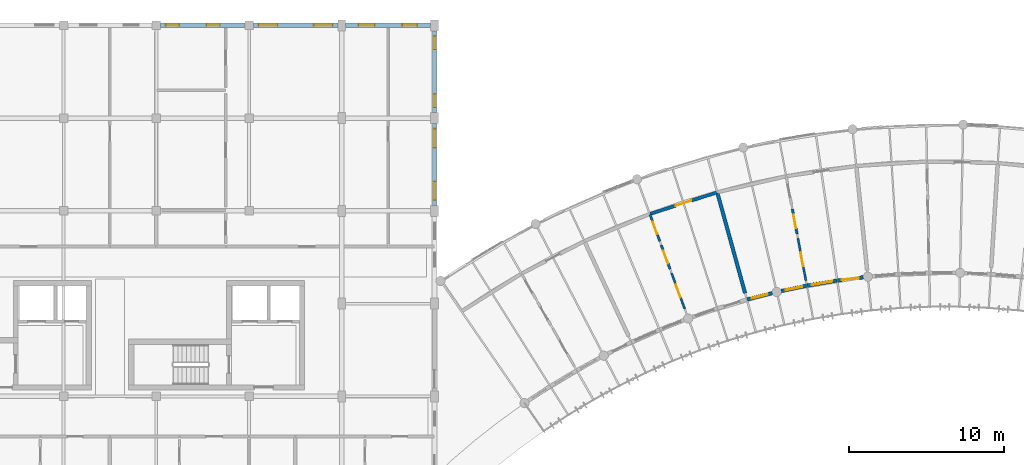
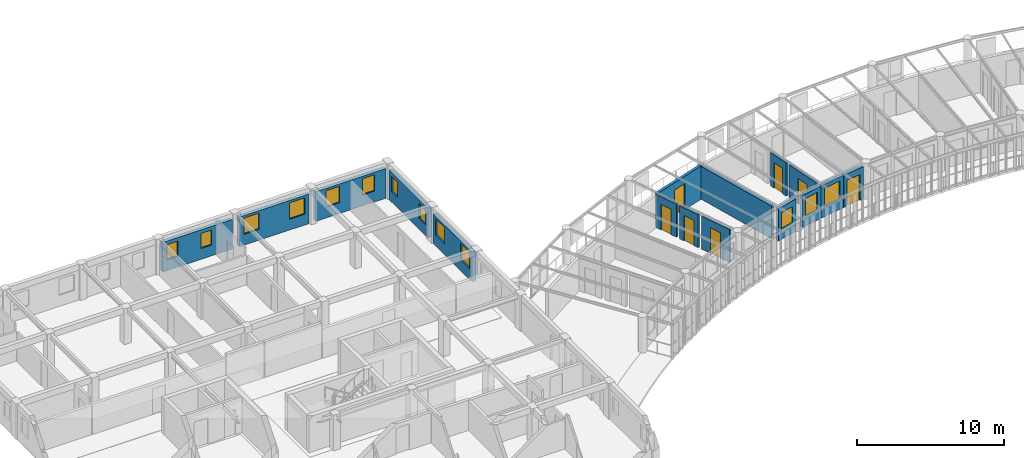
# One storey, part 73 of 101: 16 walls, 13 windows, 7 doors, 20 openings.
"""IFC4 building model written with IfcOpenShell, lengths in metres."""

from ifc_helpers import new_model, si_unit, direction, frame, frame_2d, origin, place, context, subcontext, project, spatial, rectangle, extrude, material, layer, layer_set, type_object, element, fill, save


model = new_model("IFC4")

# Units and contexts
model_context = context("Model", 3, precision=1e-05, world=origin(), true_north=direction((0.0, 1.0)))
body_context = subcontext(model_context, "Body", "Model", "MODEL_VIEW")
ifc_project = project(units=[si_unit("LENGTHUNIT", "METRE"), si_unit("AREAUNIT", "SQUARE_METRE"), si_unit("VOLUMEUNIT", "CUBIC_METRE"), si_unit("PLANEANGLEUNIT", "RADIAN"), si_unit("MASSUNIT", "GRAM", prefix="KILO"), si_unit("POWERUNIT", "WATT"), si_unit("THERMODYNAMICTEMPERATUREUNIT", "KELVIN")], contexts=[model_context])

# Site, building, storey
site_placement = place(None, origin())
site = spatial("IfcSite", under=ifc_project, at=site_placement, CompositionType="ELEMENT")
building_placement = place(site_placement, origin())
building = spatial("IfcBuilding", under=site, at=building_placement, Name="Ruvembo Vaulted Housing Court", CompositionType="ELEMENT")
storey_placement = place(building_placement, frame((0.0, 0.0, 17.300048828125)))
storey = spatial("IfcBuildingStorey", under=building, at=storey_placement, Name="L05", CompositionType="ELEMENT", Elevation=17.300048828125)

# Wall, opening, door
ifc_material_1 = material(Name="Concrete Blockwork 210", Category="masonry")
ifc_layer_1 = layer(ifc_material_1, 0.2099609375, Name="Concrete Blockwork 210")
ifc_layer_set_1 = layer_set([ifc_layer_1], Name="Concrete Blockwork 210")
wall_type_1 = type_object("IfcWallType", Name="WL-CORR-210", PredefinedType="SOLIDWALL", material=ifc_layer_set_1)
wall_1_placement = place(storey_placement, frame((97.962890625, 101.811767578125, 0.0), z_axis=(0.0, 0.0, 1.0), x_axis=(0.95193992138, 0.306284812035, 0.0)))
wall_1 = element("IfcWall", 1, at=wall_1_placement, inside=storey, type_object=wall_type_1, Name="L05 Suite SC3-L05-U2 Entrance WL-INT-L05-01655", PredefinedType="SOLIDWALL", context=body_context, shape_type="SweptSolid", body=[
    extrude(rectangle(XDim=4.501220703125, YDim=0.2099609375, at=frame_2d((2.25048828125, 0.0))), origin(), (0.0, 0.0, 1.0), 2.75390625),
])
opening_1_placement = place(wall_1_placement, frame((1.7255859375, 0.0, 0.0)))
opening_1 = element("IfcOpeningElement", 2, at=opening_1_placement, cuts=wall_1, Name="Opening FD3", PredefinedType="OPENING", context=body_context, shape_type="SweptSolid", body=[
    extrude(rectangle(XDim=1.050048828125, YDim=2.14990234375, at=frame_2d((0.52490234375, 1.074951171875))), frame((0.0, 0.114990234375, 0.0), z_axis=(0.0, -1.0, 0.0), x_axis=(1.0, 0.0, 0.0)), (0.0, 0.0, 1.0), 0.22998046875),
])
ifc_material_2 = material(Name="FSC Hardwood and Engineered Timber", Category="wood")
door_type_1 = type_object("IfcDoorType", Name="DR-FLAT-1050x2150", OperationType="NOTDEFINED", PredefinedType="DOOR", material=ifc_material_2)
door_1_placement = place(opening_1_placement, origin())
door_1 = element("IfcDoor", 3, at=door_1_placement, inside=storey, type_object=door_type_1, Name="L05 Suite SC3-L05-U2 Entrance Door DR-INT-L05-00935", OperationType="SINGLE_SWING_LEFT", OverallHeight=2.14990234375, OverallWidth=1.050048828125, PredefinedType="DOOR", context=body_context, shape_type="SweptSolid", body=[
    extrude(rectangle(XDim=1.050048828125, YDim=2.14990234375, at=frame_2d((0.52490234375, 1.074951171875))), frame((0.0, 0.02490234375, 0.0), z_axis=(0.0, -1.0, 0.0), x_axis=(1.0, 0.0, 0.0)), (0.0, 0.0, 1.0), 0.050048828125),
])
fill(opening_1, door_1)

# Wall
ifc_material_3 = material(Name="Acoustic Masonry Demising 230", Category="masonry")
ifc_layer_2 = layer(ifc_material_3, 0.22998046875, Name="Acoustic Masonry Demising 230")
ifc_layer_set_2 = layer_set([ifc_layer_2], Name="Acoustic Masonry Demising 230")
wall_type_2 = type_object("IfcWallType", Name="WL-DEM-230", PredefinedType="SOLIDWALL", material=ifc_layer_set_2)
wall_2_placement = place(storey_placement, frame((104.09228515625, 96.672119140625, 0.0), z_axis=(0.0, 0.0, 1.0), x_axis=(-0.266578174631, 0.963813299768, 0.0)))
element("IfcWall", 4, at=wall_2_placement, inside=storey, type_object=wall_type_2, Name="L05 Suite SC3-L05-U2 Demising WL-INT-L05-01659", PredefinedType="SOLIDWALL", context=body_context, shape_type="SweptSolid", body=[
    extrude(rectangle(XDim=6.73583984375, YDim=0.22998046875, at=frame_2d((3.367919921875, 0.0))), origin(), (0.0, 0.0, 1.0), 2.7138671875),
])

# Wall, opening, window
ifc_material_4 = material(Name="Rendered Masonry 235", Category="masonry")
ifc_layer_3 = layer(ifc_material_4, 0.235107421875, Name="Rendered Masonry 235")
ifc_layer_set_3 = layer_set([ifc_layer_3], Name="Rendered Masonry 235")
wall_type_3 = type_object("IfcWallType", Name="WL-EXT-235", PredefinedType="STANDARD", material=ifc_layer_set_3)
wall_3_placement = place(storey_placement, frame((104.224609375, 96.268310546875, 0.0), z_axis=(0.0, 0.0, 1.0), x_axis=(0.969164394975, 0.246415047254, 0.0)))
wall_3 = element("IfcWall", 5, at=wall_3_placement, inside=storey, type_object=wall_type_3, Name="Scoop SC3 L05 Concave Balcony Wall 8", PredefinedType="STANDARD", context=body_context, shape_type="SweptSolid", body=[
    extrude(rectangle(XDim=1.67236328125, YDim=0.235107421875, at=frame_2d((0.836181640625, 0.0))), origin(), (0.0, 0.0, 1.0), 2.676025390625),
])
opening_2_placement = place(wall_3_placement, frame((0.311279296875, 0.0, 0.85009765625)))
opening_2 = element("IfcOpeningElement", 6, at=opening_2_placement, cuts=wall_3, Name="Opening W09", PredefinedType="OPENING", context=body_context, shape_type="SweptSolid", body=[
    extrude(rectangle(XDim=1.050048828125, YDim=1.35009765625, at=frame_2d((0.52490234375, 0.675048828125))), frame((0.0, 0.12744140625, 0.0), z_axis=(0.0, -1.0, 0.0), x_axis=(1.0, 0.0, 0.0)), (0.0, 0.0, 1.0), 0.255126953125),
])
ifc_material_5 = material(Name="Double Solar-Control Glazing in Aluminium Frame", Category="aluminium")
window_type_1 = type_object("IfcWindowType", Name="WIN-1050x1350", PartitioningType="SINGLE_PANEL", PredefinedType="WINDOW", material=ifc_material_5)
window_1_placement = place(opening_2_placement, origin())
window_1 = element("IfcWindow", 7, at=window_1_placement, inside=storey, type_object=window_type_1, Name="Scoop SC3 L05 Concave Window 8", OverallHeight=1.35009765625, OverallWidth=1.050048828125, PartitioningType="SINGLE_PANEL", PredefinedType="WINDOW", context=body_context, shape_type="SweptSolid", body=[
    extrude(rectangle(XDim=1.050048828125, YDim=1.35009765625, at=frame_2d((0.52490234375, 0.675048828125))), frame((0.0, 0.030029296875, 0.0), z_axis=(0.0, -1.0, 0.0), x_axis=(1.0, 0.0, 0.0)), (0.0, 0.0, 1.0), 0.06005859375),
])
fill(opening_2, window_1)

wall_4_placement = place(storey_placement, frame((106.4296875, 96.816162109375, 0.0), z_axis=(0.0, 0.0, 1.0), x_axis=(0.978524995622, 0.206128195408, 0.0)))
wall_4 = element("IfcWall", 8, at=wall_4_placement, inside=storey, type_object=wall_type_3, Name="Scoop SC3 L05 Concave Balcony Wall 9", PredefinedType="STANDARD", context=body_context, shape_type="SweptSolid", body=[
    extrude(rectangle(XDim=1.67236328125, YDim=0.235107421875, at=frame_2d((0.836181640625, 0.0))), origin(), (0.0, 0.0, 1.0), 2.676025390625),
])
opening_3_placement = place(wall_4_placement, frame((0.2861328125, 0.0, 0.85009765625)))
opening_3 = element("IfcOpeningElement", 9, at=opening_3_placement, cuts=wall_4, Name="Opening W10", PredefinedType="OPENING", context=body_context, shape_type="SweptSolid", body=[
    extrude(rectangle(XDim=1.10009765625, YDim=1.449951171875, at=frame_2d((0.550048828125, 0.72509765625))), frame((0.0, 0.12744140625, 0.0), z_axis=(0.0, -1.0, 0.0), x_axis=(1.0, 0.0, 0.0)), (0.0, 0.0, 1.0), 0.255126953125),
])
window_type_2 = type_object("IfcWindowType", Name="WIN-1100x1450", PartitioningType="SINGLE_PANEL", PredefinedType="WINDOW", material=ifc_material_5)
window_2_placement = place(opening_3_placement, origin())
window_2 = element("IfcWindow", 10, at=window_2_placement, inside=storey, type_object=window_type_2, Name="Scoop SC3 L05 Concave Window 9", OverallHeight=1.449951171875, OverallWidth=1.10009765625, PartitioningType="SINGLE_PANEL", PredefinedType="WINDOW", context=body_context, shape_type="SweptSolid", body=[
    extrude(rectangle(XDim=1.10009765625, YDim=1.449951171875, at=frame_2d((0.550048828125, 0.72509765625))), frame((0.0, 0.030029296875, 0.0), z_axis=(0.0, -1.0, 0.0), x_axis=(1.0, 0.0, 0.0)), (0.0, 0.0, 1.0), 0.06005859375),
])
fill(opening_3, window_2)

wall_5_placement = place(storey_placement, frame((108.10546875, 97.168212890625, 0.0), z_axis=(0.0, 0.0, 1.0), x_axis=(0.986241418229, 0.165311418144, 0.0)))
wall_5 = element("IfcWall", 11, at=wall_5_placement, inside=storey, type_object=wall_type_3, Name="Scoop SC3 L05 Concave Balcony Wall 10", PredefinedType="STANDARD", context=body_context, shape_type="SweptSolid", body=[
    extrude(rectangle(XDim=1.952392578125, YDim=0.235107421875, at=frame_2d((0.97607421875, 0.0))), origin(), (0.0, 0.0, 1.0), 2.676025390625),
])
opening_4_placement = place(wall_5_placement, frame((0.30126953125, 0.0, 0.85009765625)))
opening_4 = element("IfcOpeningElement", 12, at=opening_4_placement, cuts=wall_5, Name="Opening W16", PredefinedType="OPENING", context=body_context, shape_type="SweptSolid", body=[
    extrude(rectangle(XDim=1.35009765625, YDim=1.5, at=frame_2d((0.675048828125, 0.75))), frame((0.0, 0.12744140625, 0.0), z_axis=(0.0, -1.0, 0.0), x_axis=(1.0, 0.0, 0.0)), (0.0, 0.0, 1.0), 0.255126953125),
])
window_type_3 = type_object("IfcWindowType", Name="WIN-1350x1500", PartitioningType="SINGLE_PANEL", PredefinedType="WINDOW", material=ifc_material_5)
window_3_placement = place(opening_4_placement, origin())
window_3 = element("IfcWindow", 13, at=window_3_placement, inside=storey, type_object=window_type_3, Name="Scoop SC3 L05 Concave Window 10", OverallHeight=1.5, OverallWidth=1.35009765625, PartitioningType="SINGLE_PANEL", PredefinedType="WINDOW", context=body_context, shape_type="SweptSolid", body=[
    extrude(rectangle(XDim=1.35009765625, YDim=1.5, at=frame_2d((0.675048828125, 0.75))), frame((0.0, 0.030029296875, 0.0), z_axis=(0.0, -1.0, 0.0), x_axis=(1.0, 0.0, 0.0)), (0.0, 0.0, 1.0), 0.06005859375),
])
fill(opening_4, window_3)

# Wall, opening, door
wall_6_placement = place(storey_placement, frame((110.070556640625, 97.496826171875, 0.0), z_axis=(0.0, 0.0, 1.0), x_axis=(0.992253152049, 0.124232371987, 0.0)))
wall_6 = element("IfcWall", 14, at=wall_6_placement, inside=storey, type_object=wall_type_3, Name="Scoop SC3 L05 Concave Balcony Wall 11", PredefinedType="STANDARD", context=body_context, shape_type="SweptSolid", body=[
    extrude(rectangle(XDim=1.67236328125, YDim=0.235107421875, at=frame_2d((0.836181640625, 0.0))), origin(), (0.0, 0.0, 1.0), 2.676025390625),
])
opening_5_placement = place(wall_6_placement, frame((0.2861328125, 0.0, 0.0)))
opening_5 = element("IfcOpeningElement", 15, at=opening_5_placement, cuts=wall_6, Name="Opening BD3", PredefinedType="OPENING", context=body_context, shape_type="SweptSolid", body=[
    extrude(rectangle(XDim=1.10009765625, YDim=2.14990234375, at=frame_2d((0.550048828125, 1.074951171875))), frame((0.0, 0.12744140625, 0.0), z_axis=(0.0, -1.0, 0.0), x_axis=(1.0, 0.0, 0.0)), (0.0, 0.0, 1.0), 0.255126953125),
])
ifc_material_6 = material(Name="Thermally Broken Glazed Aluminium", Category="aluminium")
door_type_2 = type_object("IfcDoorType", Name="DR-BAL-1100x2150", OperationType="NOTDEFINED", PredefinedType="DOOR", material=ifc_material_6)
door_2_placement = place(opening_5_placement, frame((1.10009765625, 0.0, 0.0), z_axis=(0.0, 0.0, 1.0), x_axis=(-1.0, 0.0, 0.0)))
door_2 = element("IfcDoor", 16, at=door_2_placement, inside=storey, type_object=door_type_2, Name="Scoop SC3 L05 Balcony Door 11", OperationType="SINGLE_SWING_LEFT", OverallHeight=2.14990234375, OverallWidth=1.10009765625, PredefinedType="DOOR", context=body_context, shape_type="SweptSolid", body=[
    extrude(rectangle(XDim=1.10009765625, YDim=2.14990234375, at=frame_2d((0.550048828125, 1.074951171875))), frame((0.0, 0.02490234375, 0.0), z_axis=(0.0, -1.0, 0.0), x_axis=(1.0, 0.0, 0.0)), (0.0, 0.0, 1.0), 0.050048828125),
])
fill(opening_5, door_2)

# Wall, openings, windows
ifc_material_7 = material(Name="Rendered Masonry 285", Category="masonry")
ifc_layer_4 = layer(ifc_material_7, 0.284912109375, Name="Rendered Masonry 285")
ifc_layer_set_4 = layer_set([ifc_layer_4], Name="Rendered Masonry 285")
wall_type_4 = type_object("IfcWallType", Name="WL-EXT-285", PredefinedType="STANDARD", material=ifc_layer_set_4)
wall_7_placement = place(storey_placement, frame((84.0, 102.35009765625, 0.0), z_axis=(0.0, 0.0, 1.0), x_axis=(0.0, 1.0, 0.0)))
wall_7 = element("IfcWall", 17, at=wall_7_placement, inside=storey, type_object=wall_type_4, Name="Block B L05 Exterior Wall EAST #5", PredefinedType="STANDARD", context=body_context, shape_type="SweptSolid", body=[
    extrude(rectangle(XDim=5.2998046875, YDim=0.284912109375, at=frame_2d((2.64990234375, 0.0))), origin(), (0.0, 0.0, 1.0), 2.447021484375),
])
opening_6_placement = place(wall_7_placement, frame((0.35009765625, 0.0, 0.89990234375)))
opening_6 = element("IfcOpeningElement", 18, at=opening_6_placement, cuts=wall_7, Name="Opening W12", PredefinedType="OPENING", context=body_context, shape_type="SweptSolid", body=[
    extrude(rectangle(XDim=1.199951171875, YDim=1.35009765625, at=frame_2d((0.60009765625, 0.675048828125))), frame((0.0, 0.15234375, 0.0), z_axis=(0.0, -1.0, 0.0), x_axis=(1.0, 0.0, 0.0)), (0.0, 0.0, 1.0), 0.304931640625),
])
opening_7_placement = place(wall_7_placement, frame((3.75, 0.0, 0.89990234375)))
opening_7 = element("IfcOpeningElement", 19, at=opening_7_placement, cuts=wall_7, Name="Opening W12", PredefinedType="OPENING", context=body_context, shape_type="SweptSolid", body=[
    extrude(rectangle(XDim=1.199951171875, YDim=1.35009765625, at=frame_2d((0.60009765625, 0.675048828125))), frame((0.0, 0.15234375, 0.0), z_axis=(0.0, -1.0, 0.0), x_axis=(1.0, 0.0, 0.0)), (0.0, 0.0, 1.0), 0.304931640625),
])
window_type_4 = type_object("IfcWindowType", Name="WIN-1200x1350", PartitioningType="SINGLE_PANEL", PredefinedType="WINDOW", material=ifc_material_5)
window_4_placement = place(opening_6_placement, origin())
window_4 = element("IfcWindow", 20, at=window_4_placement, inside=storey, type_object=window_type_4, Name="Block B L05 Window #827", OverallHeight=1.35009765625, OverallWidth=1.199951171875, PartitioningType="SINGLE_PANEL", PredefinedType="WINDOW", context=body_context, shape_type="SweptSolid", body=[
    extrude(rectangle(XDim=1.199951171875, YDim=1.35009765625, at=frame_2d((0.60009765625, 0.675048828125))), frame((0.0, 0.030029296875, 0.0), z_axis=(0.0, -1.0, 0.0), x_axis=(1.0, 0.0, 0.0)), (0.0, 0.0, 1.0), 0.06005859375),
])
fill(opening_6, window_4)
window_5_placement = place(opening_7_placement, origin())
window_5 = element("IfcWindow", 21, at=window_5_placement, inside=storey, type_object=window_type_4, Name="Block B L05 Window #828", OverallHeight=1.35009765625, OverallWidth=1.199951171875, PartitioningType="SINGLE_PANEL", PredefinedType="WINDOW", context=body_context, shape_type="SweptSolid", body=[
    extrude(rectangle(XDim=1.199951171875, YDim=1.35009765625, at=frame_2d((0.60009765625, 0.675048828125))), frame((0.0, 0.030029296875, 0.0), z_axis=(0.0, -1.0, 0.0), x_axis=(1.0, 0.0, 0.0)), (0.0, 0.0, 1.0), 0.06005859375),
])
fill(opening_7, window_5)

wall_8_placement = place(storey_placement, frame((84.0, 108.35009765625, 0.0), z_axis=(0.0, 0.0, 1.0), x_axis=(0.0, 1.0, 0.0)))
wall_8 = element("IfcWall", 22, at=wall_8_placement, inside=storey, type_object=wall_type_4, Name="Block B L05 Exterior Wall EAST #6", PredefinedType="STANDARD", context=body_context, shape_type="SweptSolid", body=[
    extrude(rectangle(XDim=5.2998046875, YDim=0.284912109375, at=frame_2d((2.64990234375, 0.0))), origin(), (0.0, 0.0, 1.0), 2.447021484375),
])
opening_8_placement = place(wall_8_placement, frame((0.35009765625, 0.0, 0.89990234375)))
opening_8 = element("IfcOpeningElement", 23, at=opening_8_placement, cuts=wall_8, Name="Opening W03", PredefinedType="OPENING", context=body_context, shape_type="SweptSolid", body=[
    extrude(rectangle(XDim=0.85009765625, YDim=1.25, at=frame_2d((0.425048828125, 0.625))), frame((0.0, 0.15234375, 0.0), z_axis=(0.0, -1.0, 0.0), x_axis=(1.0, 0.0, 0.0)), (0.0, 0.0, 1.0), 0.304931640625),
])
opening_9_placement = place(wall_8_placement, frame((4.10009765625, 0.0, 0.89990234375)))
opening_9 = element("IfcOpeningElement", 24, at=opening_9_placement, cuts=wall_8, Name="Opening W03", PredefinedType="OPENING", context=body_context, shape_type="SweptSolid", body=[
    extrude(rectangle(XDim=0.85009765625, YDim=1.25, at=frame_2d((0.425048828125, 0.625))), frame((0.0, 0.15234375, 0.0), z_axis=(0.0, -1.0, 0.0), x_axis=(1.0, 0.0, 0.0)), (0.0, 0.0, 1.0), 0.304931640625),
])
window_type_5 = type_object("IfcWindowType", Name="WIN-0850x1250", PartitioningType="SINGLE_PANEL", PredefinedType="WINDOW", material=ifc_material_5)
window_6_placement = place(opening_8_placement, origin())
window_6 = element("IfcWindow", 25, at=window_6_placement, inside=storey, type_object=window_type_5, Name="Block B L05 Window #829", OverallHeight=1.25, OverallWidth=0.85009765625, PartitioningType="SINGLE_PANEL", PredefinedType="WINDOW", context=body_context, shape_type="SweptSolid", body=[
    extrude(rectangle(XDim=0.85009765625, YDim=1.25, at=frame_2d((0.425048828125, 0.625))), frame((0.0, 0.030029296875, 0.0), z_axis=(0.0, -1.0, 0.0), x_axis=(1.0, 0.0, 0.0)), (0.0, 0.0, 1.0), 0.06005859375),
])
fill(opening_8, window_6)
window_7_placement = place(opening_9_placement, origin())
window_7 = element("IfcWindow", 26, at=window_7_placement, inside=storey, type_object=window_type_5, Name="Block B L05 Window #830", OverallHeight=1.25, OverallWidth=0.85009765625, PartitioningType="SINGLE_PANEL", PredefinedType="WINDOW", context=body_context, shape_type="SweptSolid", body=[
    extrude(rectangle(XDim=0.85009765625, YDim=1.25, at=frame_2d((0.425048828125, 0.625))), frame((0.0, 0.030029296875, 0.0), z_axis=(0.0, -1.0, 0.0), x_axis=(1.0, 0.0, 0.0)), (0.0, 0.0, 1.0), 0.06005859375),
])
fill(opening_9, window_7)

wall_9_placement = place(storey_placement, frame((83.75, 114.0, 0.0), z_axis=(0.0, 0.0, 1.0), x_axis=(-1.0, 0.0, 0.0)))
wall_9 = element("IfcWall", 27, at=wall_9_placement, inside=storey, type_object=wall_type_4, Name="Block B L05 Exterior Wall STREET #1", PredefinedType="STANDARD", context=body_context, shape_type="SweptSolid", body=[
    extrude(rectangle(XDim=5.5, YDim=0.284912109375, at=frame_2d((2.75, 0.0))), origin(), (0.0, 0.0, 1.0), 2.447021484375),
])
opening_10_placement = place(wall_9_placement, frame((0.8798828125, 0.0, 0.89990234375)))
opening_10 = element("IfcOpeningElement", 28, at=opening_10_placement, cuts=wall_9, Name="Opening W07", PredefinedType="OPENING", context=body_context, shape_type="SweptSolid", body=[
    extrude(rectangle(XDim=0.949951171875, YDim=1.35009765625, at=frame_2d((0.47509765625, 0.675048828125))), frame((0.0, 0.15234375, 0.0), z_axis=(0.0, -1.0, 0.0), x_axis=(1.0, 0.0, 0.0)), (0.0, 0.0, 1.0), 0.304931640625),
])
opening_11_placement = place(wall_9_placement, frame((3.6201171875, 0.0, 0.89990234375)))
opening_11 = element("IfcOpeningElement", 29, at=opening_11_placement, cuts=wall_9, Name="Opening W09", PredefinedType="OPENING", context=body_context, shape_type="SweptSolid", body=[
    extrude(rectangle(XDim=1.050048828125, YDim=1.35009765625, at=frame_2d((0.52490234375, 0.675048828125))), frame((0.0, 0.15234375, 0.0), z_axis=(0.0, -1.0, 0.0), x_axis=(1.0, 0.0, 0.0)), (0.0, 0.0, 1.0), 0.304931640625),
])
window_type_6 = type_object("IfcWindowType", Name="WIN-0950x1350", PartitioningType="SINGLE_PANEL", PredefinedType="WINDOW", material=ifc_material_5)
window_8_placement = place(opening_10_placement, origin())
window_8 = element("IfcWindow", 30, at=window_8_placement, inside=storey, type_object=window_type_6, Name="Block B L05 Window #831", OverallHeight=1.35009765625, OverallWidth=0.949951171875, PartitioningType="SINGLE_PANEL", PredefinedType="WINDOW", context=body_context, shape_type="SweptSolid", body=[
    extrude(rectangle(XDim=0.949951171875, YDim=1.35009765625, at=frame_2d((0.47509765625, 0.675048828125))), frame((0.0, 0.030029296875, 0.0), z_axis=(0.0, -1.0, 0.0), x_axis=(1.0, 0.0, 0.0)), (0.0, 0.0, 1.0), 0.06005859375),
])
fill(opening_10, window_8)
window_9_placement = place(opening_11_placement, origin())
window_9 = element("IfcWindow", 31, at=window_9_placement, inside=storey, type_object=window_type_1, Name="Block B L05 Window #832", OverallHeight=1.35009765625, OverallWidth=1.050048828125, PartitioningType="SINGLE_PANEL", PredefinedType="WINDOW", context=body_context, shape_type="SweptSolid", body=[
    extrude(rectangle(XDim=1.050048828125, YDim=1.35009765625, at=frame_2d((0.52490234375, 0.675048828125))), frame((0.0, 0.030029296875, 0.0), z_axis=(0.0, -1.0, 0.0), x_axis=(1.0, 0.0, 0.0)), (0.0, 0.0, 1.0), 0.06005859375),
])
fill(opening_11, window_9)

wall_10_placement = place(storey_placement, frame((77.75, 114.0, 0.0), z_axis=(0.0, 0.0, 1.0), x_axis=(-1.0, 0.0, 0.0)))
wall_10 = element("IfcWall", 32, at=wall_10_placement, inside=storey, type_object=wall_type_4, Name="Block B L05 Exterior Wall STREET #2", PredefinedType="STANDARD", context=body_context, shape_type="SweptSolid", body=[
    extrude(rectangle(XDim=5.47509765625, YDim=0.284912109375, at=frame_2d((2.737548828125, 0.0))), origin(), (0.0, 0.0, 1.0), 2.447021484375),
])
opening_12_placement = place(wall_10_placement, frame((0.35009765625, 0.0, 0.89990234375)))
opening_12 = element("IfcOpeningElement", 33, at=opening_12_placement, cuts=wall_10, Name="Opening W12", PredefinedType="OPENING", context=body_context, shape_type="SweptSolid", body=[
    extrude(rectangle(XDim=1.199951171875, YDim=1.35009765625, at=frame_2d((0.60009765625, 0.675048828125))), frame((0.0, 0.15234375, 0.0), z_axis=(0.0, -1.0, 0.0), x_axis=(1.0, 0.0, 0.0)), (0.0, 0.0, 1.0), 0.304931640625),
])
opening_13_placement = place(wall_10_placement, frame((3.925048828125, 0.0, 0.89990234375)))
opening_13 = element("IfcOpeningElement", 34, at=opening_13_placement, cuts=wall_10, Name="Opening W12", PredefinedType="OPENING", context=body_context, shape_type="SweptSolid", body=[
    extrude(rectangle(XDim=1.199951171875, YDim=1.35009765625, at=frame_2d((0.60009765625, 0.675048828125))), frame((0.0, 0.15234375, 0.0), z_axis=(0.0, -1.0, 0.0), x_axis=(1.0, 0.0, 0.0)), (0.0, 0.0, 1.0), 0.304931640625),
])
window_10_placement = place(opening_12_placement, origin())
window_10 = element("IfcWindow", 35, at=window_10_placement, inside=storey, type_object=window_type_4, Name="Block B L05 Window #833", OverallHeight=1.35009765625, OverallWidth=1.199951171875, PartitioningType="SINGLE_PANEL", PredefinedType="WINDOW", context=body_context, shape_type="SweptSolid", body=[
    extrude(rectangle(XDim=1.199951171875, YDim=1.35009765625, at=frame_2d((0.60009765625, 0.675048828125))), frame((0.0, 0.030029296875, 0.0), z_axis=(0.0, -1.0, 0.0), x_axis=(1.0, 0.0, 0.0)), (0.0, 0.0, 1.0), 0.06005859375),
])
fill(opening_12, window_10)
window_11_placement = place(opening_13_placement, origin())
window_11 = element("IfcWindow", 36, at=window_11_placement, inside=storey, type_object=window_type_4, Name="Block B L05 Window #834", OverallHeight=1.35009765625, OverallWidth=1.199951171875, PartitioningType="SINGLE_PANEL", PredefinedType="WINDOW", context=body_context, shape_type="SweptSolid", body=[
    extrude(rectangle(XDim=1.199951171875, YDim=1.35009765625, at=frame_2d((0.60009765625, 0.675048828125))), frame((0.0, 0.030029296875, 0.0), z_axis=(0.0, -1.0, 0.0), x_axis=(1.0, 0.0, 0.0)), (0.0, 0.0, 1.0), 0.06005859375),
])
fill(opening_13, window_11)

wall_11_placement = place(storey_placement, frame((71.72509765625, 114.0, 0.0), z_axis=(0.0, 0.0, 1.0), x_axis=(-1.0, 0.0, 0.0)))
wall_11 = element("IfcWall", 37, at=wall_11_placement, inside=storey, type_object=wall_type_4, Name="Block B L05 Exterior Wall STREET #3", PredefinedType="STANDARD", context=body_context, shape_type="SweptSolid", body=[
    extrude(rectangle(XDim=5.4501953125, YDim=0.284912109375, at=frame_2d((2.72509765625, 0.0))), origin(), (0.0, 0.0, 1.0), 2.447021484375),
])
opening_14_placement = place(wall_11_placement, frame((1.614990234375, 0.0, 0.89990234375)))
opening_14 = element("IfcOpeningElement", 38, at=opening_14_placement, cuts=wall_11, Name="Opening W03", PredefinedType="OPENING", context=body_context, shape_type="SweptSolid", body=[
    extrude(rectangle(XDim=0.85009765625, YDim=1.25, at=frame_2d((0.425048828125, 0.625))), frame((0.0, 0.15234375, 0.0), z_axis=(0.0, -1.0, 0.0), x_axis=(1.0, 0.0, 0.0)), (0.0, 0.0, 1.0), 0.304931640625),
])
opening_15_placement = place(wall_11_placement, frame((4.25, 0.0, 0.89990234375)))
opening_15 = element("IfcOpeningElement", 39, at=opening_15_placement, cuts=wall_11, Name="Opening W03", PredefinedType="OPENING", context=body_context, shape_type="SweptSolid", body=[
    extrude(rectangle(XDim=0.85009765625, YDim=1.25, at=frame_2d((0.425048828125, 0.625))), frame((0.0, 0.15234375, 0.0), z_axis=(0.0, -1.0, 0.0), x_axis=(1.0, 0.0, 0.0)), (0.0, 0.0, 1.0), 0.304931640625),
])
window_12_placement = place(opening_14_placement, origin())
window_12 = element("IfcWindow", 40, at=window_12_placement, inside=storey, type_object=window_type_5, Name="Block B L05 Window #835", OverallHeight=1.25, OverallWidth=0.85009765625, PartitioningType="SINGLE_PANEL", PredefinedType="WINDOW", context=body_context, shape_type="SweptSolid", body=[
    extrude(rectangle(XDim=0.85009765625, YDim=1.25, at=frame_2d((0.425048828125, 0.625))), frame((0.0, 0.030029296875, 0.0), z_axis=(0.0, -1.0, 0.0), x_axis=(1.0, 0.0, 0.0)), (0.0, 0.0, 1.0), 0.06005859375),
])
fill(opening_14, window_12)
window_13_placement = place(opening_15_placement, origin())
window_13 = element("IfcWindow", 41, at=window_13_placement, inside=storey, type_object=window_type_5, Name="Block B L05 Window #836", OverallHeight=1.25, OverallWidth=0.85009765625, PartitioningType="SINGLE_PANEL", PredefinedType="WINDOW", context=body_context, shape_type="SweptSolid", body=[
    extrude(rectangle(XDim=0.85009765625, YDim=1.25, at=frame_2d((0.425048828125, 0.625))), frame((0.0, 0.030029296875, 0.0), z_axis=(0.0, -1.0, 0.0), x_axis=(1.0, 0.0, 0.0)), (0.0, 0.0, 1.0), 0.06005859375),
])
fill(opening_15, window_13)

# Wall, opening, door
ifc_material_8 = material(Name="Acoustic Stud Partition 135", Category="gypsum")
ifc_layer_5 = layer(ifc_material_8, 0.135009765625, Name="Acoustic Stud Partition 135")
ifc_layer_set_5 = layer_set([ifc_layer_5], Name="Acoustic Stud Partition 135")
wall_type_5 = type_object("IfcWallType", Name="WL-PART-135", PredefinedType="PARTITIONING", material=ifc_layer_set_5)
wall_12_placement = place(storey_placement, frame((100.18896484375, 95.651123046875, 0.0), z_axis=(0.0, 0.0, 1.0), x_axis=(-0.34555023948, 0.938400251489, 0.0)))
wall_12 = element("IfcWall", 42, at=wall_12_placement, inside=storey, type_object=wall_type_5, Name="L05 Suite SC3-L05-U2 Bedroom WL-INT-L05-01656", PredefinedType="PARTITIONING", context=body_context, shape_type="SweptSolid", body=[
    extrude(rectangle(XDim=2.47998046875, YDim=0.135009765625, at=frame_2d((1.239990234375, 0.0))), origin(), (0.0, 0.0, 1.0), 2.73388671875),
])
opening_16_placement = place(wall_12_placement, frame((0.7900390625, 0.0, 0.0)))
opening_16 = element("IfcOpeningElement", 43, at=opening_16_placement, cuts=wall_12, Name="Opening ID1", PredefinedType="OPENING", context=body_context, shape_type="SweptSolid", body=[
    extrude(rectangle(XDim=0.89990234375, YDim=2.10009765625, at=frame_2d((0.449951171875, 1.050048828125))), frame((0.0, 0.077392578125, 0.0), z_axis=(0.0, -1.0, 0.0), x_axis=(1.0, 0.0, 0.0)), (0.0, 0.0, 1.0), 0.155029296875),
])
door_type_3 = type_object("IfcDoorType", Name="DR-ROOM-0900x2100", OperationType="NOTDEFINED", PredefinedType="DOOR", material=ifc_material_2)
door_3_placement = place(opening_16_placement, origin())
door_3 = element("IfcDoor", 44, at=door_3_placement, inside=storey, type_object=door_type_3, Name="L05 Suite SC3-L05-U2 Bedroom Door DR-INT-L05-00936", OperationType="SINGLE_SWING_RIGHT", OverallHeight=2.10009765625, OverallWidth=0.89990234375, PredefinedType="DOOR", context=body_context, shape_type="SweptSolid", body=[
    extrude(rectangle(XDim=0.89990234375, YDim=2.10009765625, at=frame_2d((0.449951171875, 1.050048828125))), frame((0.0, 0.02490234375, 0.0), z_axis=(0.0, -1.0, 0.0), x_axis=(1.0, 0.0, 0.0)), (0.0, 0.0, 1.0), 0.050048828125),
])
fill(opening_16, door_3)

wall_13_placement = place(storey_placement, frame((108.02490234375, 97.4873046875, 0.0), z_axis=(0.0, 0.0, 1.0), x_axis=(-0.185725576604, 0.982601653874, 0.0)))
wall_13 = element("IfcWall", 45, at=wall_13_placement, inside=storey, type_object=wall_type_5, Name="L05 Suite SC3-L05-U3 Bedroom WL-INT-L05-01662", PredefinedType="PARTITIONING", context=body_context, shape_type="SweptSolid", body=[
    extrude(rectangle(XDim=2.800048828125, YDim=0.135009765625, at=frame_2d((1.39990234375, 0.0))), origin(), (0.0, 0.0, 1.0), 2.75390625),
])
opening_17_placement = place(wall_13_placement, frame((0.949951171875, 0.0, 0.0)))
opening_17 = element("IfcOpeningElement", 46, at=opening_17_placement, cuts=wall_13, Name="Opening ID1", PredefinedType="OPENING", context=body_context, shape_type="SweptSolid", body=[
    extrude(rectangle(XDim=0.89990234375, YDim=2.10009765625, at=frame_2d((0.449951171875, 1.050048828125))), frame((0.0, 0.077392578125, 0.0), z_axis=(0.0, -1.0, 0.0), x_axis=(1.0, 0.0, 0.0)), (0.0, 0.0, 1.0), 0.155029296875),
])
door_4_placement = place(opening_17_placement, origin())
door_4 = element("IfcDoor", 47, at=door_4_placement, inside=storey, type_object=door_type_3, Name="L05 Suite SC3-L05-U3 Bedroom Door DR-INT-L05-00940", OperationType="SINGLE_SWING_RIGHT", OverallHeight=2.10009765625, OverallWidth=0.89990234375, PredefinedType="DOOR", context=body_context, shape_type="SweptSolid", body=[
    extrude(rectangle(XDim=0.89990234375, YDim=2.10009765625, at=frame_2d((0.449951171875, 1.050048828125))), frame((0.0, 0.02490234375, 0.0), z_axis=(0.0, -1.0, 0.0), x_axis=(1.0, 0.0, 0.0)), (0.0, 0.0, 1.0), 0.050048828125),
])
fill(opening_17, door_4)

ifc_material_9 = material(Name="Moisture-Resistant Wet Partition 150", Category="gypsum")
ifc_layer_6 = layer(ifc_material_9, 0.14990234375, Name="Moisture-Resistant Wet Partition 150")
ifc_layer_set_6 = layer_set([ifc_layer_6], Name="Moisture-Resistant Wet Partition 150")
wall_type_6 = type_object("IfcWallType", Name="WL-PART-150", PredefinedType="PARTITIONING", material=ifc_layer_set_6)
wall_14_placement = place(storey_placement, frame((98.574462890625, 100.03515625, 0.0), z_axis=(0.0, 0.0, 1.0), x_axis=(-0.345490154584, 0.938422374566, 0.0)))
wall_14 = element("IfcWall", 48, at=wall_14_placement, inside=storey, type_object=wall_type_6, Name="L05 Suite SC3-L05-U2 Bathroom WL-INT-L05-01658", PredefinedType="PARTITIONING", context=body_context, shape_type="SweptSolid", body=[
    extrude(rectangle(XDim=1.840087890625, YDim=0.14990234375, at=frame_2d((0.919921875, 0.0))), origin(), (0.0, 0.0, 1.0), 2.73388671875),
])
opening_18_placement = place(wall_14_placement, frame((0.4951171875, 0.0, 0.0)))
opening_18 = element("IfcOpeningElement", 49, at=opening_18_placement, cuts=wall_14, Name="Opening ID2", PredefinedType="OPENING", context=body_context, shape_type="SweptSolid", body=[
    extrude(rectangle(XDim=0.85009765625, YDim=2.10009765625, at=frame_2d((0.425048828125, 1.050048828125))), frame((0.0, 0.0849609375, 0.0), z_axis=(0.0, -1.0, 0.0), x_axis=(1.0, 0.0, 0.0)), (0.0, 0.0, 1.0), 0.169921875),
])
door_type_4 = type_object("IfcDoorType", Name="DR-WET-0850x2100", OperationType="NOTDEFINED", PredefinedType="DOOR", material=ifc_material_2)
door_5_placement = place(opening_18_placement, origin())
door_5 = element("IfcDoor", 50, at=door_5_placement, inside=storey, type_object=door_type_4, Name="L05 Suite SC3-L05-U2 Bathroom Door DR-INT-L05-00938", OperationType="SINGLE_SWING_RIGHT", OverallHeight=2.10009765625, OverallWidth=0.85009765625, PredefinedType="DOOR", context=body_context, shape_type="SweptSolid", body=[
    extrude(rectangle(XDim=0.85009765625, YDim=2.10009765625, at=frame_2d((0.425048828125, 1.050048828125))), frame((0.0, 0.02490234375, 0.0), z_axis=(0.0, -1.0, 0.0), x_axis=(1.0, 0.0, 0.0)), (0.0, 0.0, 1.0), 0.050048828125),
])
fill(opening_18, door_5)

ifc_material_10 = material(Name="Acoustic Service Chase Wall 160", Category="gypsum")
ifc_layer_7 = layer(ifc_material_10, 0.159912109375, Name="Acoustic Service Chase Wall 160")
ifc_layer_set_7 = layer_set([ifc_layer_7], Name="Acoustic Service Chase Wall 160")
wall_type_7 = type_object("IfcWallType", Name="WL-PLUMB-160", PredefinedType="PLUMBINGWALL", material=ifc_layer_set_7)
wall_15_placement = place(storey_placement, frame((99.238037109375, 98.2333984375, 0.0), z_axis=(0.0, 0.0, 1.0), x_axis=(-0.345581795697, 0.938388630836, 0.0)))
wall_15 = element("IfcWall", 51, at=wall_15_placement, inside=storey, type_object=wall_type_7, Name="L05 Suite SC3-L05-U2 Kitchen WL-INT-L05-01657", PredefinedType="PLUMBINGWALL", context=body_context, shape_type="SweptSolid", body=[
    extrude(rectangle(XDim=1.648193359375, YDim=0.159912109375, at=frame_2d((0.82421875, 0.0))), origin(), (0.0, 0.0, 1.0), 2.73388671875),
])
opening_19_placement = place(wall_15_placement, frame((0.384033203125, 0.0, 0.0)))
opening_19 = element("IfcOpeningElement", 52, at=opening_19_placement, cuts=wall_15, Name="Opening ID3", PredefinedType="OPENING", context=body_context, shape_type="SweptSolid", body=[
    extrude(rectangle(XDim=0.8798828125, YDim=2.10009765625, at=frame_2d((0.43994140625, 1.050048828125))), frame((0.0, 0.08984375, 0.0), z_axis=(0.0, -1.0, 0.0), x_axis=(1.0, 0.0, 0.0)), (0.0, 0.0, 1.0), 0.179931640625),
])
door_type_5 = type_object("IfcDoorType", Name="DR-ROOM-0880x2100", OperationType="NOTDEFINED", PredefinedType="DOOR", material=ifc_material_2)
door_6_placement = place(opening_19_placement, origin())
door_6 = element("IfcDoor", 53, at=door_6_placement, inside=storey, type_object=door_type_5, Name="L05 Suite SC3-L05-U2 Kitchen Door DR-INT-L05-00937", OperationType="SINGLE_SWING_LEFT", OverallHeight=2.10009765625, OverallWidth=0.8798828125, PredefinedType="DOOR", context=body_context, shape_type="SweptSolid", body=[
    extrude(rectangle(XDim=0.8798828125, YDim=2.10009765625, at=frame_2d((0.43994140625, 1.050048828125))), frame((0.0, 0.02490234375, 0.0), z_axis=(0.0, -1.0, 0.0), x_axis=(1.0, 0.0, 0.0)), (0.0, 0.0, 1.0), 0.050048828125),
])
fill(opening_19, door_6)

wall_16_placement = place(storey_placement, frame((107.454345703125, 100.505859375, 0.0), z_axis=(0.0, 0.0, 1.0), x_axis=(-0.185764109712, 0.98259436979, 0.0)))
wall_16 = element("IfcWall", 54, at=wall_16_placement, inside=storey, type_object=wall_type_7, Name="L05 Suite SC3-L05-U3 Kitchen WL-INT-L05-01663", PredefinedType="PLUMBINGWALL", context=body_context, shape_type="SweptSolid", body=[
    extrude(rectangle(XDim=1.64794921875, YDim=0.159912109375, at=frame_2d((0.823974609375, 0.0))), origin(), (0.0, 0.0, 1.0), 2.75390625),
])
opening_20_placement = place(wall_16_placement, frame((0.384033203125, 0.0, 0.0)))
opening_20 = element("IfcOpeningElement", 55, at=opening_20_placement, cuts=wall_16, Name="Opening ID3", PredefinedType="OPENING", context=body_context, shape_type="SweptSolid", body=[
    extrude(rectangle(XDim=0.8798828125, YDim=2.10009765625, at=frame_2d((0.43994140625, 1.050048828125))), frame((0.0, 0.08984375, 0.0), z_axis=(0.0, -1.0, 0.0), x_axis=(1.0, 0.0, 0.0)), (0.0, 0.0, 1.0), 0.179931640625),
])
door_7_placement = place(opening_20_placement, origin())
door_7 = element("IfcDoor", 56, at=door_7_placement, inside=storey, type_object=door_type_5, Name="L05 Suite SC3-L05-U3 Kitchen Door DR-INT-L05-00941", OperationType="SINGLE_SWING_LEFT", OverallHeight=2.10009765625, OverallWidth=0.8798828125, PredefinedType="DOOR", context=body_context, shape_type="SweptSolid", body=[
    extrude(rectangle(XDim=0.8798828125, YDim=2.10009765625, at=frame_2d((0.43994140625, 1.050048828125))), frame((0.0, 0.02490234375, 0.0), z_axis=(0.0, -1.0, 0.0), x_axis=(1.0, 0.0, 0.0)), (0.0, 0.0, 1.0), 0.050048828125),
])
fill(opening_20, door_7)

save(model, "model.ifc")
